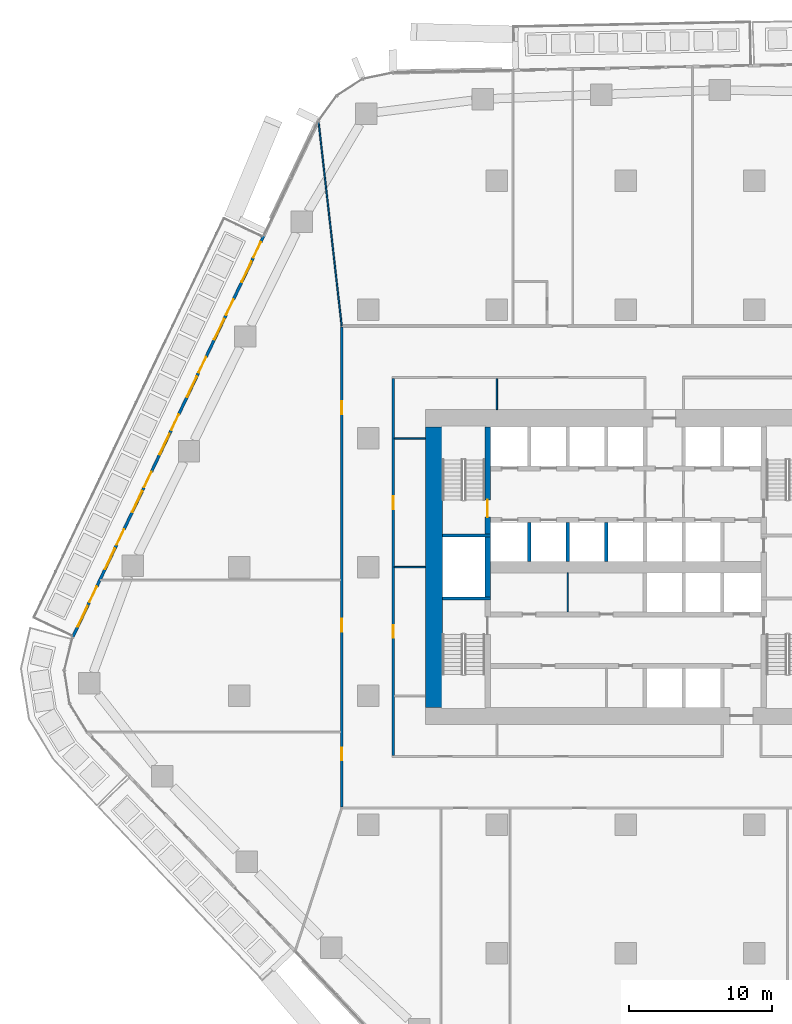
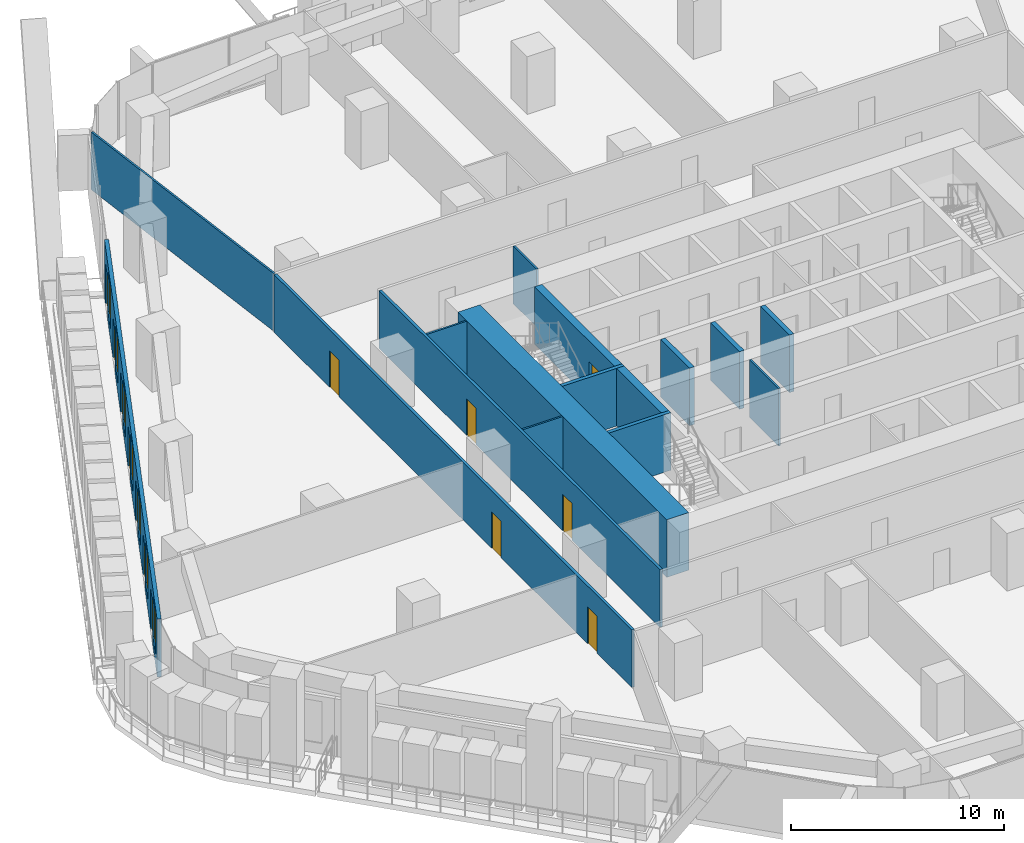
# One storey, part 14 of 24: 16 walls, 13 doors, 7 windows, 20 openings.
"""IFC4 building model written with IfcOpenShell, lengths in metres."""

from ifc_helpers import new_model, si_unit, direction, frame, frame_2d, origin, place, context, subcontext, project, spatial, rectangle, extrude, material, layer, layer_set, type_object, element, fill, save


model = new_model("IFC4")

# Units and contexts
model_context = context("Model", 3, precision=1e-05, world=origin(), true_north=direction((0.0, 1.0)))
body_context = subcontext(model_context, "Body", "Model", "MODEL_VIEW")
ifc_project = project(units=[si_unit("LENGTHUNIT", "METRE"), si_unit("AREAUNIT", "SQUARE_METRE"), si_unit("VOLUMEUNIT", "CUBIC_METRE"), si_unit("PLANEANGLEUNIT", "RADIAN"), si_unit("MASSUNIT", "GRAM", prefix="KILO")], contexts=[model_context])

# Site, building, storey
site_placement = place(None, origin())
site = spatial("IfcSite", under=ifc_project, at=site_placement, CompositionType="ELEMENT")
building_placement = place(site_placement, origin())
building = spatial("IfcBuilding", under=site, at=building_placement, Name="Dongbaek Canopy Tower", CompositionType="ELEMENT")
storey_placement = place(building_placement, frame((0.0, 0.0, 51.39990234375)))
storey = spatial("IfcBuildingStorey", under=building, at=storey_placement, Name="L08", CompositionType="ELEMENT", Elevation=51.39990234375)

# Wall
ifc_material_1 = material(Name="Concrete C60/75", Category="concrete")
ifc_layer_1 = layer(ifc_material_1, 1.199951171875)
ifc_layer_set_1 = layer_set([ifc_layer_1], Name="Core outer wall 1200 Concrete C60/75")
wall_type_1 = type_object("IfcWallType", Name="Core outer wall 1200 Concrete C60/75", PredefinedType="SHEAR", material=ifc_layer_set_1)
wall_1_placement = place(storey_placement, frame((-13.39990234375, -9.800048828125, 0.0), z_axis=(0.0, 0.0, 1.0), x_axis=(0.0, 1.0, 0.0)))
element("IfcWall", 1, at=wall_1_placement, inside=storey, type_object=wall_type_1, Name="Core wall", PredefinedType="SHEAR", context=body_context, shape_type="SweptSolid", body=[
    extrude(rectangle(XDim=19.60009765625, YDim=1.199951171875, at=frame_2d((9.800048828125, 0.0))), origin(), (0.0, 0.0, 1.0), 3.300048828125),
])

# Wall, openings, doors
ifc_material_2 = material(Name="Gypsum board partition, steel stud, 2 x 15 mm fire board", Category="steel")
ifc_layer_2 = layer(ifc_material_2, 0.14990234375)
ifc_layer_set_2 = layer_set([ifc_layer_2], Name="Fire-rated partition 150 gypsum board")
wall_type_2 = type_object("IfcWallType", Name="Fire-rated partition 150 gypsum board", PredefinedType="PARTITIONING", material=ifc_layer_set_2)
wall_2_placement = place(storey_placement, frame((-16.25, 13.175048828125, 0.0), z_axis=(0.0, 0.0, 1.0), x_axis=(0.0, -1.0, 0.0)))
wall_2 = element("IfcWall", 2, at=wall_2_placement, inside=storey, type_object=wall_type_2, Name="Corridor partition", PredefinedType="PARTITIONING", context=body_context, shape_type="SweptSolid", body=[
    extrude(rectangle(XDim=26.35009765625, YDim=0.14990234375, at=frame_2d((13.175048828125, 0.0))), origin(), (0.0, 0.0, 1.0), 3.300048828125),
])
opening_1_placement = place(wall_2_placement, frame((17.22509765625, 0.0, 0.0)))
opening_1 = element("IfcOpeningElement", 3, at=opening_1_placement, cuts=wall_2, Name="Opening L08-D018", PredefinedType="OPENING", context=body_context, shape_type="SweptSolid", body=[
    extrude(rectangle(XDim=0.89990234375, YDim=2.10009765625, at=frame_2d((0.449951171875, 1.050048828125))), frame((0.0, 0.0849609375, 0.0), z_axis=(0.0, -1.0, 0.0), x_axis=(1.0, 0.0, 0.0)), (0.0, 0.0, 1.0), 0.169921875),
])
opening_2_placement = place(wall_2_placement, frame((8.22509765625, 0.0, 0.0)))
opening_2 = element("IfcOpeningElement", 4, at=opening_2_placement, cuts=wall_2, Name="Opening L08-D026", PredefinedType="OPENING", context=body_context, shape_type="SweptSolid", body=[
    extrude(rectangle(XDim=0.89990234375, YDim=2.10009765625, at=frame_2d((0.449951171875, 1.050048828125))), frame((0.0, 0.0849609375, 0.0), z_axis=(0.0, -1.0, 0.0), x_axis=(1.0, 0.0, 0.0)), (0.0, 0.0, 1.0), 0.169921875),
])
ifc_material_3 = material(Name="Timber veneered door leaf", Category="wood")
door_type_1 = type_object("IfcDoorType", Name="Room door 900 x 2100", OperationType="SINGLE_SWING_LEFT", PredefinedType="DOOR", material=ifc_material_3)
door_1_placement = place(opening_1_placement, origin())
door_1 = element("IfcDoor", 5, at=door_1_placement, inside=storey, type_object=door_type_1, Name="Door L08-D018", OperationType="SINGLE_SWING_RIGHT", OverallHeight=2.10009765625, OverallWidth=0.89990234375, PredefinedType="DOOR", context=body_context, shape_type="SweptSolid", body=[
    extrude(rectangle(XDim=0.89990234375, YDim=2.10009765625, at=frame_2d((0.449951171875, 1.050048828125))), frame((0.0, 0.02490234375, 0.0), z_axis=(0.0, -1.0, 0.0), x_axis=(1.0, 0.0, 0.0)), (0.0, 0.0, 1.0), 0.050048828125),
])
fill(opening_1, door_1)
door_2_placement = place(opening_2_placement, origin())
door_2 = element("IfcDoor", 6, at=door_2_placement, inside=storey, type_object=door_type_1, Name="Door L08-D026", OperationType="SINGLE_SWING_RIGHT", OverallHeight=2.10009765625, OverallWidth=0.89990234375, PredefinedType="DOOR", context=body_context, shape_type="SweptSolid", body=[
    extrude(rectangle(XDim=0.89990234375, YDim=2.10009765625, at=frame_2d((0.449951171875, 1.050048828125))), frame((0.0, 0.02490234375, 0.0), z_axis=(0.0, -1.0, 0.0), x_axis=(1.0, 0.0, 0.0)), (0.0, 0.0, 1.0), 0.050048828125),
])
fill(opening_2, door_2)

wall_3_placement = place(storey_placement, frame((-19.85009765625, -16.77490234375, 0.0), z_axis=(0.0, 0.0, 1.0), x_axis=(0.0, 1.0, 0.0)))
wall_3 = element("IfcWall", 7, at=wall_3_placement, inside=storey, type_object=wall_type_2, Name="Corridor partition", PredefinedType="PARTITIONING", context=body_context, shape_type="SweptSolid", body=[
    extrude(rectangle(XDim=33.5498046875, YDim=0.14990234375, at=frame_2d((16.77490234375, 0.0))), origin(), (0.0, 0.0, 1.0), 3.300048828125),
])
opening_3_placement = place(wall_3_placement, frame((12.256103515625, 0.0, 0.0)))
opening_3 = element("IfcOpeningElement", 8, at=opening_3_placement, cuts=wall_3, Name="Opening L08-D001", PredefinedType="OPENING", context=body_context, shape_type="SweptSolid", body=[
    extrude(rectangle(XDim=0.89990234375, YDim=2.10009765625, at=frame_2d((0.449951171875, 1.050048828125))), frame((0.0, 0.0849609375, 0.0), z_axis=(0.0, -1.0, 0.0), x_axis=(1.0, 0.0, 0.0)), (0.0, 0.0, 1.0), 0.169921875),
])
opening_4_placement = place(wall_3_placement, frame((3.25439453125, 0.0, 0.0)))
opening_4 = element("IfcOpeningElement", 9, at=opening_4_placement, cuts=wall_3, Name="Opening L08-D002", PredefinedType="OPENING", context=body_context, shape_type="SweptSolid", body=[
    extrude(rectangle(XDim=0.89990234375, YDim=2.10009765625, at=frame_2d((0.449951171875, 1.050048828125))), frame((0.0, 0.0849609375, 0.0), z_axis=(0.0, -1.0, 0.0), x_axis=(1.0, 0.0, 0.0)), (0.0, 0.0, 1.0), 0.169921875),
])
opening_5_placement = place(wall_3_placement, frame((27.45068359375, 0.0, 0.0)))
opening_5 = element("IfcOpeningElement", 10, at=opening_5_placement, cuts=wall_3, Name="Opening L08-D017", PredefinedType="OPENING", context=body_context, shape_type="SweptSolid", body=[
    extrude(rectangle(XDim=0.89990234375, YDim=2.10009765625, at=frame_2d((0.449951171875, 1.050048828125))), frame((0.0, 0.0849609375, 0.0), z_axis=(0.0, -1.0, 0.0), x_axis=(1.0, 0.0, 0.0)), (0.0, 0.0, 1.0), 0.169921875),
])
door_3_placement = place(opening_3_placement, origin())
door_3 = element("IfcDoor", 11, at=door_3_placement, inside=storey, type_object=door_type_1, Name="Door L08-D001", OperationType="SINGLE_SWING_RIGHT", OverallHeight=2.10009765625, OverallWidth=0.89990234375, PredefinedType="DOOR", context=body_context, shape_type="SweptSolid", body=[
    extrude(rectangle(XDim=0.89990234375, YDim=2.10009765625, at=frame_2d((0.449951171875, 1.050048828125))), frame((0.0, 0.02490234375, 0.0), z_axis=(0.0, -1.0, 0.0), x_axis=(1.0, 0.0, 0.0)), (0.0, 0.0, 1.0), 0.050048828125),
])
fill(opening_3, door_3)
door_4_placement = place(opening_4_placement, origin())
door_4 = element("IfcDoor", 12, at=door_4_placement, inside=storey, type_object=door_type_1, Name="Door L08-D002", OperationType="SINGLE_SWING_LEFT", OverallHeight=2.10009765625, OverallWidth=0.89990234375, PredefinedType="DOOR", context=body_context, shape_type="SweptSolid", body=[
    extrude(rectangle(XDim=0.89990234375, YDim=2.10009765625, at=frame_2d((0.449951171875, 1.050048828125))), frame((0.0, 0.02490234375, 0.0), z_axis=(0.0, -1.0, 0.0), x_axis=(1.0, 0.0, 0.0)), (0.0, 0.0, 1.0), 0.050048828125),
])
fill(opening_4, door_4)
door_5_placement = place(opening_5_placement, origin())
door_5 = element("IfcDoor", 13, at=door_5_placement, inside=storey, type_object=door_type_1, Name="Door L08-D017", OperationType="SINGLE_SWING_LEFT", OverallHeight=2.10009765625, OverallWidth=0.89990234375, PredefinedType="DOOR", context=body_context, shape_type="SweptSolid", body=[
    extrude(rectangle(XDim=0.89990234375, YDim=2.10009765625, at=frame_2d((0.449951171875, 1.050048828125))), frame((0.0, 0.02490234375, 0.0), z_axis=(0.0, -1.0, 0.0), x_axis=(1.0, 0.0, 0.0)), (0.0, 0.0, 1.0), 0.050048828125),
])
fill(opening_5, door_5)

# Walls
ifc_material_4 = material(Name="Concrete C40/50", Category="concrete")
ifc_layer_3 = layer(ifc_material_4, 0.25)
ifc_layer_set_3 = layer_set([ifc_layer_3], Name="Lift shaft wall 250 Concrete C40/50")
wall_type_3 = type_object("IfcWallType", Name="Lift shaft wall 250 Concrete C40/50", PredefinedType="SOLIDWALL", material=ifc_layer_set_3)
for number, where, z_axis, x_axis, name in (
    (14, (-1.35009765625, 0.39990234375, 0.0), (0.0, 0.0, 1.0), (0.0, 1.0, 0.0), "Lift shaft wall"),
    (15, (-4.050048828125, 0.39990234375, 0.0), (0.0, 0.0, 1.0), (0.0, 1.0, 0.0), "Lift shaft wall"),
    (16, (-6.75, 0.39990234375, 0.0), (0.0, 0.0, 1.0), (0.0, 1.0, 0.0), "Lift shaft wall"),
):
    element("IfcWall", number, at=place(storey_placement, frame(where, z_axis=z_axis, x_axis=x_axis)), inside=storey, type_object=wall_type_3, Name=name, PredefinedType="SOLIDWALL", context=body_context, shape_type="SweptSolid", body=[
        extrude(rectangle(XDim=2.72509765625, YDim=0.25, at=frame_2d((1.362548828125, 0.0))), origin(), (0.0, 0.0, 1.0), 3.300048828125),
    ])
ifc_material_5 = material(Name="Gypsum board partition, steel stud, 2 x 12.5 mm board", Category="steel")
ifc_layer_4 = layer(ifc_material_5, 0.10009765625)
ifc_layer_set_4 = layer_set([ifc_layer_4], Name="Partition 100 gypsum board")
wall_type_4 = type_object("IfcWallType", Name="Partition 100 gypsum board", PredefinedType="PARTITIONING", material=ifc_layer_set_4)
for number, where, z_axis, x_axis, name in (
    (17, (-16.175048828125, 0.0, 0.0), (0.0, 0.0, 1.0), (1.0, 0.0, 0.0), "Partition"),
    (18, (-16.175048828125, 9.0, 0.0), (0.0, 0.0, 1.0), (1.0, 0.0, 0.0), "Partition"),
    (19, (-9.0, 11.0, 0.0), (0.0, 0.0, 1.0), (0.0, 1.0, 0.0), "Partition"),
):
    element("IfcWall", number, at=place(storey_placement, frame(where, z_axis=z_axis, x_axis=x_axis)), inside=storey, type_object=wall_type_4, Name=name, PredefinedType="PARTITIONING", context=body_context, shape_type="SweptSolid", body=[
        extrude(rectangle(XDim=2.175048828125, YDim=0.10009765625, at=frame_2d((1.08740234375, 0.0))), origin(), (0.0, 0.0, 1.0), 3.300048828125),
    ])
wall_4_placement = place(storey_placement, frame((-21.47216796875, 31.153076171875, 0.0), z_axis=(0.0, 0.0, 1.0), x_axis=(0.112685540228, -0.993630700524, 0.0)))
element("IfcWall", 20, at=wall_4_placement, inside=storey, type_object=wall_type_4, Name="Partition", PredefinedType="PARTITIONING", context=body_context, shape_type="SweptSolid", body=[
    extrude(rectangle(XDim=14.394775390625, YDim=0.10009765625, at=frame_2d((7.197265625, 0.0))), origin(), (0.0, 0.0, 1.0), 3.300048828125),
])
wall_5_placement = place(storey_placement, frame((-4.050048828125, -3.125, 0.0), z_axis=(0.0, 0.0, 1.0), x_axis=(0.0, 1.0, 0.0)))
element("IfcWall", 21, at=wall_5_placement, inside=storey, type_object=wall_type_4, Name="Core partition", PredefinedType="PARTITIONING", context=body_context, shape_type="SweptSolid", body=[
    extrude(rectangle(XDim=2.72509765625, YDim=0.10009765625, at=frame_2d((1.362548828125, 0.0))), origin(), (0.0, 0.0, 1.0), 3.300048828125),
])
ifc_material_6 = material(Name="Concrete C60/75", Category="concrete")
ifc_layer_5 = layer(ifc_material_6, 0.199951171875)
ifc_layer_set_5 = layer_set([ifc_layer_5], Name="Riser wall 200 Concrete C60/75")
wall_type_5 = type_object("IfcWallType", Name="Riser wall 200 Concrete C60/75", PredefinedType="SHEAR", material=ifc_layer_set_5)
for number, where, z_axis, x_axis, name in (
    (22, (-9.449951171875, 2.199951171875, 0.0), (0.0, 0.0, 1.0), (-1.0, 0.0, 0.0), "Riser wall"),
    (23, (-9.449951171875, -2.199951171875, 0.0), (0.0, 0.0, 1.0), (-1.0, 0.0, 0.0), "Riser wall"),
):
    element("IfcWall", number, at=place(storey_placement, frame(where, z_axis=z_axis, x_axis=x_axis)), inside=storey, type_object=wall_type_5, Name=name, PredefinedType="SHEAR", context=body_context, shape_type="SweptSolid", body=[
        extrude(rectangle(XDim=3.35009765625, YDim=0.199951171875, at=frame_2d((1.675048828125, 0.0))), origin(), (0.0, 0.0, 1.0), 3.300048828125),
    ])
ifc_material_7 = material(Name="Concrete C60/75", Category="concrete")
ifc_layer_6 = layer(ifc_material_7, 0.39990234375)
ifc_layer_set_6 = layer_set([ifc_layer_6], Name="Stair wall 400 Concrete C60/75")
wall_type_6 = type_object("IfcWallType", Name="Stair wall 400 Concrete C60/75", PredefinedType="SHEAR", material=ifc_layer_set_6)
wall_6_placement = place(storey_placement, frame((-9.64990234375, -2.10009765625, 0.0), z_axis=(0.0, 0.0, 1.0), x_axis=(0.0, 1.0, 0.0)))
element("IfcWall", 24, at=wall_6_placement, inside=storey, type_object=wall_type_6, Name="Stair wall", PredefinedType="SHEAR", context=body_context, shape_type="SweptSolid", body=[
    extrude(rectangle(XDim=4.2001953125, YDim=0.39990234375, at=frame_2d((2.10009765625, 0.0))), origin(), (0.0, 0.0, 1.0), 3.300048828125),
])

# Wall, opening, door
wall_7_placement = place(storey_placement, frame((-9.64990234375, 2.300048828125, 0.0), z_axis=(0.0, 0.0, 1.0), x_axis=(0.0, 1.0, 0.0)))
wall_7 = element("IfcWall", 25, at=wall_7_placement, inside=storey, type_object=wall_type_6, Name="Stair wall", PredefinedType="SHEAR", context=body_context, shape_type="SweptSolid", body=[
    extrude(rectangle(XDim=7.5, YDim=0.39990234375, at=frame_2d((3.75, 0.0))), origin(), (0.0, 0.0, 1.0), 3.300048828125),
])
opening_6_placement = place(wall_7_placement, frame((1.199951171875, 0.0, 0.0)))
opening_6 = element("IfcOpeningElement", 26, at=opening_6_placement, cuts=wall_7, Name="Opening L08-D051", PredefinedType="OPENING", context=body_context, shape_type="SweptSolid", body=[
    extrude(rectangle(XDim=1.199951171875, YDim=2.10009765625, at=frame_2d((0.60009765625, 1.050048828125))), frame((0.0, 0.2099609375, 0.0), z_axis=(0.0, -1.0, 0.0), x_axis=(1.0, 0.0, 0.0)), (0.0, 0.0, 1.0), 0.419921875),
])
ifc_material_8 = material(Name="Steel", Category="steel")
door_type_2 = type_object("IfcDoorType", Name="Stair door 1200 x 2100", OperationType="SINGLE_SWING_LEFT", PredefinedType="DOOR", material=ifc_material_8)
door_6_placement = place(opening_6_placement, origin())
door_6 = element("IfcDoor", 27, at=door_6_placement, inside=storey, type_object=door_type_2, Name="Stair C door", OperationType="SINGLE_SWING_RIGHT", OverallHeight=2.10009765625, OverallWidth=1.199951171875, PredefinedType="DOOR", context=body_context, shape_type="SweptSolid", body=[
    extrude(rectangle(XDim=1.199951171875, YDim=2.10009765625, at=frame_2d((0.60009765625, 1.050048828125))), frame((0.0, 0.02490234375, 0.0), z_axis=(0.0, -1.0, 0.0), x_axis=(1.0, 0.0, 0.0)), (0.0, 0.0, 1.0), 0.050048828125),
])
fill(opening_6, door_6)

# Wall, openings, doors, windows
ifc_material_9 = material(Name="Aluminium window wall", Category="aluminium")
ifc_layer_7 = layer(ifc_material_9, 0.199951171875)
ifc_layer_set_7 = layer_set([ifc_layer_7], Name="Window wall 200")
wall_type_7 = type_object("IfcWallType", Name="Window wall 200", PredefinedType="SOLIDWALL", material=ifc_layer_set_7)
wall_8_placement = place(storey_placement, frame((-25.294677734375, 23.16796875, 0.0), z_axis=(0.0, 0.0, 1.0), x_axis=(-0.429791665344, -0.902928083737, 0.0)))
wall_8 = element("IfcWall", 28, at=wall_8_placement, inside=storey, type_object=wall_type_7, Name="Window wall L08 2", PredefinedType="SOLIDWALL", context=body_context, shape_type="SweptSolid", body=[
    extrude(rectangle(XDim=31.11962890625, YDim=0.199951171875, at=frame_2d((15.559814453125, 0.0))), origin(), (0.0, 0.0, 1.0), 3.300048828125),
])
opening_7_placement = place(wall_8_placement, frame((2.0, 0.0, 0.60009765625)))
opening_7 = element("IfcOpeningElement", 29, at=opening_7_placement, cuts=wall_8, Name="Opening W1", PredefinedType="OPENING", context=body_context, shape_type="SweptSolid", body=[
    extrude(rectangle(XDim=1.60009765625, YDim=2.39990234375, at=frame_2d((0.800048828125, 1.199951171875))), frame((0.0, 0.10986328125, 0.0), z_axis=(0.0, -1.0, 0.0), x_axis=(1.0, 0.0, 0.0)), (0.0, 0.0, 1.0), 0.219970703125),
])
opening_8_placement = place(wall_8_placement, frame((0.5, 0.0, 0.0)))
opening_8 = element("IfcOpeningElement", 30, at=opening_8_placement, cuts=wall_8, Name="Opening L08-B06", PredefinedType="OPENING", context=body_context, shape_type="SweptSolid", body=[
    extrude(rectangle(XDim=1.199951171875, YDim=2.39990234375, at=frame_2d((0.60009765625, 1.199951171875))), frame((0.0, 0.10986328125, 0.0), z_axis=(0.0, -1.0, 0.0), x_axis=(1.0, 0.0, 0.0)), (0.0, 0.0, 1.0), 0.219970703125),
])
opening_9_placement = place(wall_8_placement, frame((6.44580078125, 0.0, 0.60009765625)))
opening_9 = element("IfcOpeningElement", 31, at=opening_9_placement, cuts=wall_8, Name="Opening W1", PredefinedType="OPENING", context=body_context, shape_type="SweptSolid", body=[
    extrude(rectangle(XDim=1.60009765625, YDim=2.39990234375, at=frame_2d((0.800048828125, 1.199951171875))), frame((0.0, 0.10986328125, 0.0), z_axis=(0.0, -1.0, 0.0), x_axis=(1.0, 0.0, 0.0)), (0.0, 0.0, 1.0), 0.219970703125),
])
opening_10_placement = place(wall_8_placement, frame((4.94580078125, 0.0, 0.0)))
opening_10 = element("IfcOpeningElement", 32, at=opening_10_placement, cuts=wall_8, Name="Opening L08-B07", PredefinedType="OPENING", context=body_context, shape_type="SweptSolid", body=[
    extrude(rectangle(XDim=1.199951171875, YDim=2.39990234375, at=frame_2d((0.60009765625, 1.199951171875))), frame((0.0, 0.10986328125, 0.0), z_axis=(0.0, -1.0, 0.0), x_axis=(1.0, 0.0, 0.0)), (0.0, 0.0, 1.0), 0.219970703125),
])
opening_11_placement = place(wall_8_placement, frame((10.891357421875, 0.0, 0.60009765625)))
opening_11 = element("IfcOpeningElement", 33, at=opening_11_placement, cuts=wall_8, Name="Opening W1", PredefinedType="OPENING", context=body_context, shape_type="SweptSolid", body=[
    extrude(rectangle(XDim=1.60009765625, YDim=2.39990234375, at=frame_2d((0.800048828125, 1.199951171875))), frame((0.0, 0.10986328125, 0.0), z_axis=(0.0, -1.0, 0.0), x_axis=(1.0, 0.0, 0.0)), (0.0, 0.0, 1.0), 0.219970703125),
])
opening_12_placement = place(wall_8_placement, frame((9.391357421875, 0.0, 0.0)))
opening_12 = element("IfcOpeningElement", 34, at=opening_12_placement, cuts=wall_8, Name="Opening L08-B08", PredefinedType="OPENING", context=body_context, shape_type="SweptSolid", body=[
    extrude(rectangle(XDim=1.199951171875, YDim=2.39990234375, at=frame_2d((0.60009765625, 1.199951171875))), frame((0.0, 0.10986328125, 0.0), z_axis=(0.0, -1.0, 0.0), x_axis=(1.0, 0.0, 0.0)), (0.0, 0.0, 1.0), 0.219970703125),
])
opening_13_placement = place(wall_8_placement, frame((15.337158203125, 0.0, 0.60009765625)))
opening_13 = element("IfcOpeningElement", 35, at=opening_13_placement, cuts=wall_8, Name="Opening W1", PredefinedType="OPENING", context=body_context, shape_type="SweptSolid", body=[
    extrude(rectangle(XDim=1.60009765625, YDim=2.39990234375, at=frame_2d((0.800048828125, 1.199951171875))), frame((0.0, 0.10986328125, 0.0), z_axis=(0.0, -1.0, 0.0), x_axis=(1.0, 0.0, 0.0)), (0.0, 0.0, 1.0), 0.219970703125),
])
opening_14_placement = place(wall_8_placement, frame((13.837158203125, 0.0, 0.0)))
opening_14 = element("IfcOpeningElement", 36, at=opening_14_placement, cuts=wall_8, Name="Opening L08-B09", PredefinedType="OPENING", context=body_context, shape_type="SweptSolid", body=[
    extrude(rectangle(XDim=1.199951171875, YDim=2.39990234375, at=frame_2d((0.60009765625, 1.199951171875))), frame((0.0, 0.10986328125, 0.0), z_axis=(0.0, -1.0, 0.0), x_axis=(1.0, 0.0, 0.0)), (0.0, 0.0, 1.0), 0.219970703125),
])
opening_15_placement = place(wall_8_placement, frame((19.78271484375, 0.0, 0.60009765625)))
opening_15 = element("IfcOpeningElement", 37, at=opening_15_placement, cuts=wall_8, Name="Opening W1", PredefinedType="OPENING", context=body_context, shape_type="SweptSolid", body=[
    extrude(rectangle(XDim=1.60009765625, YDim=2.39990234375, at=frame_2d((0.800048828125, 1.199951171875))), frame((0.0, 0.10986328125, 0.0), z_axis=(0.0, -1.0, 0.0), x_axis=(1.0, 0.0, 0.0)), (0.0, 0.0, 1.0), 0.219970703125),
])
opening_16_placement = place(wall_8_placement, frame((18.28271484375, 0.0, 0.0)))
opening_16 = element("IfcOpeningElement", 38, at=opening_16_placement, cuts=wall_8, Name="Opening L08-B10", PredefinedType="OPENING", context=body_context, shape_type="SweptSolid", body=[
    extrude(rectangle(XDim=1.199951171875, YDim=2.39990234375, at=frame_2d((0.60009765625, 1.199951171875))), frame((0.0, 0.10986328125, 0.0), z_axis=(0.0, -1.0, 0.0), x_axis=(1.0, 0.0, 0.0)), (0.0, 0.0, 1.0), 0.219970703125),
])
opening_17_placement = place(wall_8_placement, frame((24.228515625, 0.0, 0.60009765625)))
opening_17 = element("IfcOpeningElement", 39, at=opening_17_placement, cuts=wall_8, Name="Opening W1", PredefinedType="OPENING", context=body_context, shape_type="SweptSolid", body=[
    extrude(rectangle(XDim=1.60009765625, YDim=2.39990234375, at=frame_2d((0.800048828125, 1.199951171875))), frame((0.0, 0.10986328125, 0.0), z_axis=(0.0, -1.0, 0.0), x_axis=(1.0, 0.0, 0.0)), (0.0, 0.0, 1.0), 0.219970703125),
])
opening_18_placement = place(wall_8_placement, frame((22.728515625, 0.0, 0.0)))
opening_18 = element("IfcOpeningElement", 40, at=opening_18_placement, cuts=wall_8, Name="Opening L08-B11", PredefinedType="OPENING", context=body_context, shape_type="SweptSolid", body=[
    extrude(rectangle(XDim=1.199951171875, YDim=2.39990234375, at=frame_2d((0.60009765625, 1.199951171875))), frame((0.0, 0.10986328125, 0.0), z_axis=(0.0, -1.0, 0.0), x_axis=(1.0, 0.0, 0.0)), (0.0, 0.0, 1.0), 0.219970703125),
])
opening_19_placement = place(wall_8_placement, frame((28.67431640625, 0.0, 0.60009765625)))
opening_19 = element("IfcOpeningElement", 41, at=opening_19_placement, cuts=wall_8, Name="Opening W1", PredefinedType="OPENING", context=body_context, shape_type="SweptSolid", body=[
    extrude(rectangle(XDim=1.60009765625, YDim=2.39990234375, at=frame_2d((0.800048828125, 1.199951171875))), frame((0.0, 0.10986328125, 0.0), z_axis=(0.0, -1.0, 0.0), x_axis=(1.0, 0.0, 0.0)), (0.0, 0.0, 1.0), 0.219970703125),
])
opening_20_placement = place(wall_8_placement, frame((27.17431640625, 0.0, 0.0)))
opening_20 = element("IfcOpeningElement", 42, at=opening_20_placement, cuts=wall_8, Name="Opening L08-B12", PredefinedType="OPENING", context=body_context, shape_type="SweptSolid", body=[
    extrude(rectangle(XDim=1.199951171875, YDim=2.39990234375, at=frame_2d((0.60009765625, 1.199951171875))), frame((0.0, 0.10986328125, 0.0), z_axis=(0.0, -1.0, 0.0), x_axis=(1.0, 0.0, 0.0)), (0.0, 0.0, 1.0), 0.219970703125),
])
ifc_material_10 = material(Name="Clear glazing in aluminium frame", Category="aluminium")
door_type_3 = type_object("IfcDoorType", Name="Balcony door BD1 1200 x 2400", OperationType="SLIDING_TO_LEFT", PredefinedType="DOOR", material=ifc_material_10)
door_7_placement = place(opening_8_placement, origin())
door_7 = element("IfcDoor", 43, at=door_7_placement, inside=storey, type_object=door_type_3, Name="Balcony door L08-B06", OperationType="SLIDING_TO_LEFT", OverallHeight=2.39990234375, OverallWidth=1.199951171875, PredefinedType="DOOR", context=body_context, shape_type="SweptSolid", body=[
    extrude(rectangle(XDim=1.199951171875, YDim=2.39990234375, at=frame_2d((0.60009765625, 1.199951171875))), frame((0.0, 0.02490234375, 0.0), z_axis=(0.0, -1.0, 0.0), x_axis=(1.0, 0.0, 0.0)), (0.0, 0.0, 1.0), 0.050048828125),
])
fill(opening_8, door_7)
door_8_placement = place(opening_10_placement, origin())
door_8 = element("IfcDoor", 44, at=door_8_placement, inside=storey, type_object=door_type_3, Name="Balcony door L08-B07", OperationType="SLIDING_TO_LEFT", OverallHeight=2.39990234375, OverallWidth=1.199951171875, PredefinedType="DOOR", context=body_context, shape_type="SweptSolid", body=[
    extrude(rectangle(XDim=1.199951171875, YDim=2.39990234375, at=frame_2d((0.60009765625, 1.199951171875))), frame((0.0, 0.02490234375, 0.0), z_axis=(0.0, -1.0, 0.0), x_axis=(1.0, 0.0, 0.0)), (0.0, 0.0, 1.0), 0.050048828125),
])
fill(opening_10, door_8)
door_9_placement = place(opening_12_placement, origin())
door_9 = element("IfcDoor", 45, at=door_9_placement, inside=storey, type_object=door_type_3, Name="Balcony door L08-B08", OperationType="SLIDING_TO_LEFT", OverallHeight=2.39990234375, OverallWidth=1.199951171875, PredefinedType="DOOR", context=body_context, shape_type="SweptSolid", body=[
    extrude(rectangle(XDim=1.199951171875, YDim=2.39990234375, at=frame_2d((0.60009765625, 1.199951171875))), frame((0.0, 0.02490234375, 0.0), z_axis=(0.0, -1.0, 0.0), x_axis=(1.0, 0.0, 0.0)), (0.0, 0.0, 1.0), 0.050048828125),
])
fill(opening_12, door_9)
door_10_placement = place(opening_14_placement, origin())
door_10 = element("IfcDoor", 46, at=door_10_placement, inside=storey, type_object=door_type_3, Name="Balcony door L08-B09", OperationType="SLIDING_TO_LEFT", OverallHeight=2.39990234375, OverallWidth=1.199951171875, PredefinedType="DOOR", context=body_context, shape_type="SweptSolid", body=[
    extrude(rectangle(XDim=1.199951171875, YDim=2.39990234375, at=frame_2d((0.60009765625, 1.199951171875))), frame((0.0, 0.02490234375, 0.0), z_axis=(0.0, -1.0, 0.0), x_axis=(1.0, 0.0, 0.0)), (0.0, 0.0, 1.0), 0.050048828125),
])
fill(opening_14, door_10)
door_11_placement = place(opening_16_placement, origin())
door_11 = element("IfcDoor", 47, at=door_11_placement, inside=storey, type_object=door_type_3, Name="Balcony door L08-B10", OperationType="SLIDING_TO_LEFT", OverallHeight=2.39990234375, OverallWidth=1.199951171875, PredefinedType="DOOR", context=body_context, shape_type="SweptSolid", body=[
    extrude(rectangle(XDim=1.199951171875, YDim=2.39990234375, at=frame_2d((0.60009765625, 1.199951171875))), frame((0.0, 0.02490234375, 0.0), z_axis=(0.0, -1.0, 0.0), x_axis=(1.0, 0.0, 0.0)), (0.0, 0.0, 1.0), 0.050048828125),
])
fill(opening_16, door_11)
door_12_placement = place(opening_18_placement, origin())
door_12 = element("IfcDoor", 48, at=door_12_placement, inside=storey, type_object=door_type_3, Name="Balcony door L08-B11", OperationType="SLIDING_TO_LEFT", OverallHeight=2.39990234375, OverallWidth=1.199951171875, PredefinedType="DOOR", context=body_context, shape_type="SweptSolid", body=[
    extrude(rectangle(XDim=1.199951171875, YDim=2.39990234375, at=frame_2d((0.60009765625, 1.199951171875))), frame((0.0, 0.02490234375, 0.0), z_axis=(0.0, -1.0, 0.0), x_axis=(1.0, 0.0, 0.0)), (0.0, 0.0, 1.0), 0.050048828125),
])
fill(opening_18, door_12)
door_13_placement = place(opening_20_placement, origin())
door_13 = element("IfcDoor", 49, at=door_13_placement, inside=storey, type_object=door_type_3, Name="Balcony door L08-B12", OperationType="SLIDING_TO_LEFT", OverallHeight=2.39990234375, OverallWidth=1.199951171875, PredefinedType="DOOR", context=body_context, shape_type="SweptSolid", body=[
    extrude(rectangle(XDim=1.199951171875, YDim=2.39990234375, at=frame_2d((0.60009765625, 1.199951171875))), frame((0.0, 0.02490234375, 0.0), z_axis=(0.0, -1.0, 0.0), x_axis=(1.0, 0.0, 0.0)), (0.0, 0.0, 1.0), 0.050048828125),
])
fill(opening_20, door_13)
ifc_material_11 = material(Name="Clear glazing in aluminium frame", Category="aluminium")
window_type = type_object("IfcWindowType", Name="Window W1 1600 x 2400", PartitioningType="SINGLE_PANEL", PredefinedType="WINDOW", material=ifc_material_11)
window_1_placement = place(opening_7_placement, origin())
window_1 = element("IfcWindow", 50, at=window_1_placement, inside=storey, type_object=window_type, Name="Window L08 2.1", OverallHeight=2.39990234375, OverallWidth=1.60009765625, PartitioningType="SINGLE_PANEL", PredefinedType="WINDOW", context=body_context, shape_type="SweptSolid", body=[
    extrude(rectangle(XDim=1.60009765625, YDim=2.39990234375, at=frame_2d((0.800048828125, 1.199951171875))), frame((0.0, 0.030029296875, 0.0), z_axis=(0.0, -1.0, 0.0), x_axis=(1.0, 0.0, 0.0)), (0.0, 0.0, 1.0), 0.06005859375),
])
fill(opening_7, window_1)
window_2_placement = place(opening_9_placement, origin())
window_2 = element("IfcWindow", 51, at=window_2_placement, inside=storey, type_object=window_type, Name="Window L08 2.2", OverallHeight=2.39990234375, OverallWidth=1.60009765625, PartitioningType="SINGLE_PANEL", PredefinedType="WINDOW", context=body_context, shape_type="SweptSolid", body=[
    extrude(rectangle(XDim=1.60009765625, YDim=2.39990234375, at=frame_2d((0.800048828125, 1.199951171875))), frame((0.0, 0.030029296875, 0.0), z_axis=(0.0, -1.0, 0.0), x_axis=(1.0, 0.0, 0.0)), (0.0, 0.0, 1.0), 0.06005859375),
])
fill(opening_9, window_2)
window_3_placement = place(opening_11_placement, origin())
window_3 = element("IfcWindow", 52, at=window_3_placement, inside=storey, type_object=window_type, Name="Window L08 2.3", OverallHeight=2.39990234375, OverallWidth=1.60009765625, PartitioningType="SINGLE_PANEL", PredefinedType="WINDOW", context=body_context, shape_type="SweptSolid", body=[
    extrude(rectangle(XDim=1.60009765625, YDim=2.39990234375, at=frame_2d((0.800048828125, 1.199951171875))), frame((0.0, 0.030029296875, 0.0), z_axis=(0.0, -1.0, 0.0), x_axis=(1.0, 0.0, 0.0)), (0.0, 0.0, 1.0), 0.06005859375),
])
fill(opening_11, window_3)
window_4_placement = place(opening_13_placement, origin())
window_4 = element("IfcWindow", 53, at=window_4_placement, inside=storey, type_object=window_type, Name="Window L08 2.4", OverallHeight=2.39990234375, OverallWidth=1.60009765625, PartitioningType="SINGLE_PANEL", PredefinedType="WINDOW", context=body_context, shape_type="SweptSolid", body=[
    extrude(rectangle(XDim=1.60009765625, YDim=2.39990234375, at=frame_2d((0.800048828125, 1.199951171875))), frame((0.0, 0.030029296875, 0.0), z_axis=(0.0, -1.0, 0.0), x_axis=(1.0, 0.0, 0.0)), (0.0, 0.0, 1.0), 0.06005859375),
])
fill(opening_13, window_4)
window_5_placement = place(opening_15_placement, origin())
window_5 = element("IfcWindow", 54, at=window_5_placement, inside=storey, type_object=window_type, Name="Window L08 2.5", OverallHeight=2.39990234375, OverallWidth=1.60009765625, PartitioningType="SINGLE_PANEL", PredefinedType="WINDOW", context=body_context, shape_type="SweptSolid", body=[
    extrude(rectangle(XDim=1.60009765625, YDim=2.39990234375, at=frame_2d((0.800048828125, 1.199951171875))), frame((0.0, 0.030029296875, 0.0), z_axis=(0.0, -1.0, 0.0), x_axis=(1.0, 0.0, 0.0)), (0.0, 0.0, 1.0), 0.06005859375),
])
fill(opening_15, window_5)
window_6_placement = place(opening_17_placement, origin())
window_6 = element("IfcWindow", 55, at=window_6_placement, inside=storey, type_object=window_type, Name="Window L08 2.6", OverallHeight=2.39990234375, OverallWidth=1.60009765625, PartitioningType="SINGLE_PANEL", PredefinedType="WINDOW", context=body_context, shape_type="SweptSolid", body=[
    extrude(rectangle(XDim=1.60009765625, YDim=2.39990234375, at=frame_2d((0.800048828125, 1.199951171875))), frame((0.0, 0.030029296875, 0.0), z_axis=(0.0, -1.0, 0.0), x_axis=(1.0, 0.0, 0.0)), (0.0, 0.0, 1.0), 0.06005859375),
])
fill(opening_17, window_6)
window_7_placement = place(opening_19_placement, origin())
window_7 = element("IfcWindow", 56, at=window_7_placement, inside=storey, type_object=window_type, Name="Window L08 2.7", OverallHeight=2.39990234375, OverallWidth=1.60009765625, PartitioningType="SINGLE_PANEL", PredefinedType="WINDOW", context=body_context, shape_type="SweptSolid", body=[
    extrude(rectangle(XDim=1.60009765625, YDim=2.39990234375, at=frame_2d((0.800048828125, 1.199951171875))), frame((0.0, 0.030029296875, 0.0), z_axis=(0.0, -1.0, 0.0), x_axis=(1.0, 0.0, 0.0)), (0.0, 0.0, 1.0), 0.06005859375),
])
fill(opening_19, window_7)

save(model, "model.ifc")
